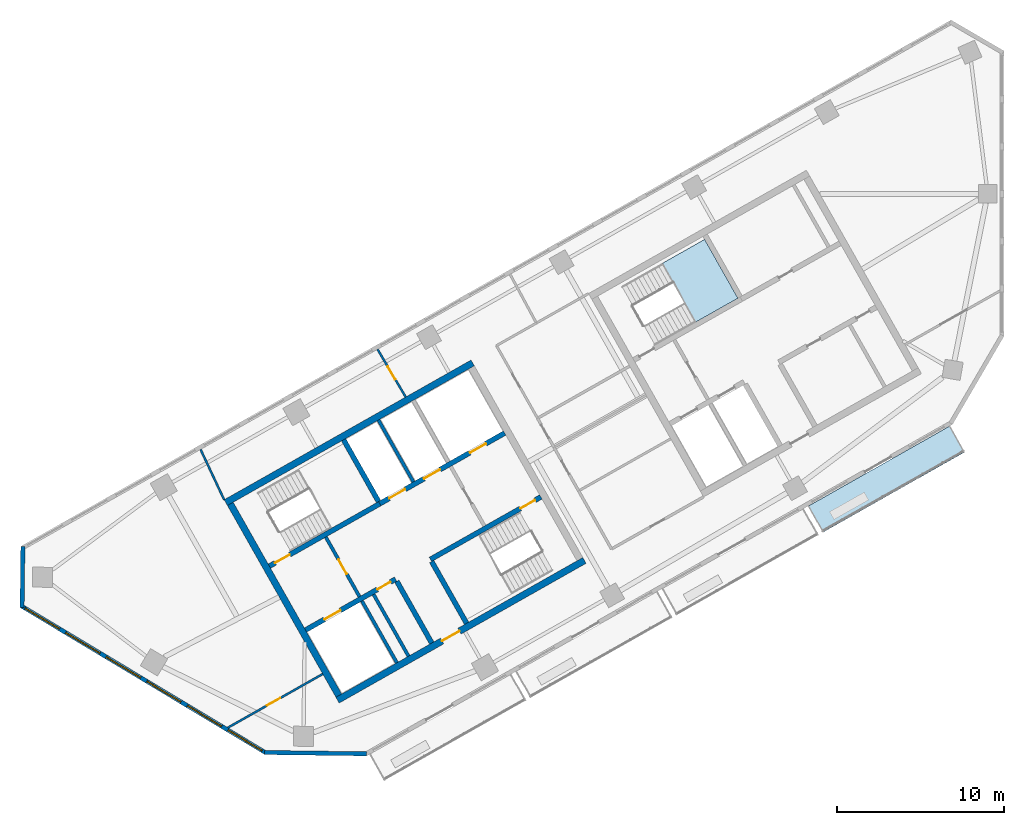
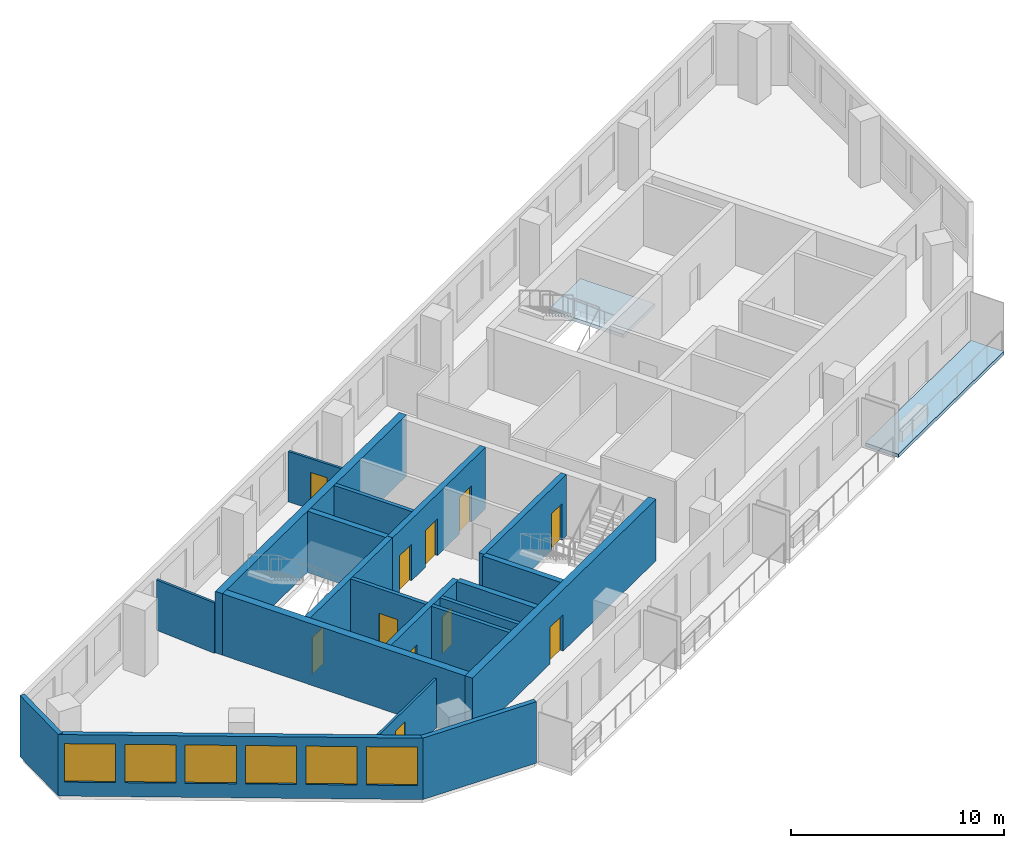
# One storey, part 2 of 7: 20 walls, 11 doors, 6 windows, 2 slabs, 17 openings, 1 element without a shape of its own.
"""IFC4 building model written with IfcOpenShell, lengths in metres."""

from ifc_helpers import new_model, si_unit, direction, frame, frame_2d, origin, place, context, subcontext, project, spatial, polyline, rectangle, outline, extrude, material, layer, layer_set, type_object, element, fill, aggregate, save


model = new_model("IFC4")

# Units and contexts
model_context = context("Model", 3, precision=1e-05, world=origin(), true_north=direction((0.0, 1.0)))
body_context = subcontext(model_context, "Body", "Model", "MODEL_VIEW")
ifc_project = project(units=[si_unit("LENGTHUNIT", "METRE"), si_unit("AREAUNIT", "SQUARE_METRE"), si_unit("VOLUMEUNIT", "CUBIC_METRE"), si_unit("PLANEANGLEUNIT", "RADIAN"), si_unit("MASSUNIT", "GRAM", prefix="KILO")], contexts=[model_context])

# Site, building, storey
site_placement = place(None, origin())
site = spatial("IfcSite", under=ifc_project, at=site_placement, CompositionType="ELEMENT")
building_placement = place(site_placement, origin())
building = spatial("IfcBuilding", under=site, at=building_placement, Name="Binnacle Exchange Tower", CompositionType="ELEMENT")
storey_placement = place(building_placement, frame((0.0, 0.0, 274.10009765625)))
storey = spatial("IfcBuildingStorey", under=building, at=storey_placement, Name="L61", CompositionType="ELEMENT", Elevation=274.10009765625)

# Slab
ifc_material_1 = material(Name="Concrete C35/45", Category="concrete")
ifc_layer_1 = layer(ifc_material_1, 0.199951171875)
ifc_layer_set_1 = layer_set([ifc_layer_1], Name="BALCONY SLAB 200")
slab_type_1 = type_object("IfcSlabType", Name="BALCONY SLAB 200", PredefinedType="FLOOR", material=ifc_layer_set_1)
slab_1_placement = place(storey_placement, frame((0.0, 0.0, -0.2001953125)))
element("IfcSlab", 1, at=slab_1_placement, inside=storey, type_object=slab_type_1, Name="Balcony BA-H07-03 L61", PredefinedType="FLOOR", context=body_context, shape_type="SweptSolid", body=[
    extrude(outline(polyline([(-11.616943359375, 41.28369140625), (-3.115234375, 46.093994140625), (-2.22900390625, 44.527099609375), (-10.730712890625, 39.717041015625), (-11.616943359375, 41.28369140625)])), origin(), (0.0, 0.0, 1.0), 0.2001953125),
])

# Stair, slab
stair_type = type_object("IfcStairType", Name="STAIR 22 RISERS 173", PredefinedType="HALF_TURN_STAIR", material=ifc_material_1)
stair_placement = place(storey_placement, origin())
stair = element("IfcStair", 2, at=stair_placement, inside=storey, type_object=stair_type, Name="L61 Escape stair C1", PredefinedType="HALF_TURN_STAIR")
ifc_layer_2 = layer(ifc_material_1, 0.199951171875)
ifc_layer_set_2 = layer_set([ifc_layer_2], Name="STAIR LANDING 200")
slab_type_2 = type_object("IfcSlabType", Name="STAIR LANDING 200", PredefinedType="LANDING", material=ifc_layer_set_2)
slab_2_placement = place(storey_placement, frame((0.0, 0.0, 1.699951171875)))
slab_2 = element("IfcSlab", 3, at=slab_2_placement, type_object=slab_type_2, Name="STC1 landing 1", PredefinedType="LANDING", context=body_context, shape_type="SweptSolid", body=[
    extrude(outline(polyline([(-18.364013671875, 52.31005859375), (-15.822509765625, 53.748046875), (-17.81689453125, 57.27294921875), (-20.3583984375, 55.8349609375), (-18.364013671875, 52.31005859375)])), origin(), (0.0, 0.0, 1.0), 0.199951171875),
])
aggregate(stair, [slab_2])

# Wall, openings, doors
ifc_material_2 = material(Name="Concrete C70/85", Category="concrete")
ifc_layer_3 = layer(ifc_material_2, 0.300048828125)
ifc_layer_set_3 = layer_set([ifc_layer_3], Name="Core wall - front 300")
wall_type_1 = type_object("IfcWallType", Name="Core wall - front 300", PredefinedType="SOLIDWALL", material=ifc_layer_set_3)
wall_1_placement = place(storey_placement, frame((-41.72998046875, 33.862548828125, 0.0), z_axis=(0.0, 0.0, 1.0), x_axis=(0.870350800578, 0.492432212525, 0.0)))
wall_1 = element("IfcWall", 4, at=wall_1_placement, inside=storey, type_object=wall_type_1, Name="Core wall CRWA2", PredefinedType="SOLIDWALL", context=body_context, shape_type="SweptSolid", body=[
    extrude(rectangle(XDim=6.19970703125, YDim=0.300048828125, at=frame_2d((3.099853515625, 0.0))), origin(), (0.0, 0.0, 1.0), 3.52001953125),
])
opening_1_placement = place(wall_1_placement, frame((1.300048828125, 0.0, 0.0)))
opening_1 = element("IfcOpeningElement", 5, at=opening_1_placement, cuts=wall_1, Name="Opening LD12", PredefinedType="OPENING", context=body_context, shape_type="SweptSolid", body=[
    extrude(rectangle(XDim=1.10009765625, YDim=2.10009765625, at=frame_2d((0.550048828125, 1.050048828125))), frame((0.0, 0.159912109375, 0.0), z_axis=(0.0, -1.0, 0.0), x_axis=(1.0, 0.0, 0.0)), (0.0, 0.0, 1.0), 0.320068359375),
])
opening_2_placement = place(wall_1_placement, frame((4.949951171875, 0.0, 0.0)))
opening_2 = element("IfcOpeningElement", 6, at=opening_2_placement, cuts=wall_1, Name="Opening DA14", PredefinedType="OPENING", context=body_context, shape_type="SweptSolid", body=[
    extrude(rectangle(XDim=0.89990234375, YDim=2.10009765625, at=frame_2d((0.449951171875, 1.050048828125))), frame((0.0, 0.159912109375, 0.0), z_axis=(0.0, -1.0, 0.0), x_axis=(1.0, 0.0, 0.0)), (0.0, 0.0, 1.0), 0.320068359375),
])
ifc_material_3 = material(Name="Steel door leaf", Category="steel")
door_type_1 = type_object("IfcDoorType", Name="Fire door - lift landing 1100", OperationType="NOTDEFINED", PredefinedType="DOOR", material=ifc_material_3)
door_1_placement = place(opening_1_placement, origin())
door_1 = element("IfcDoor", 7, at=door_1_placement, inside=storey, type_object=door_type_1, Name="Landing door LD12 L61", OperationType="DOUBLE_DOOR_SLIDING", OverallHeight=2.10009765625, OverallWidth=1.10009765625, PredefinedType="DOOR", context=body_context, shape_type="SweptSolid", body=[
    extrude(rectangle(XDim=1.10009765625, YDim=2.10009765625, at=frame_2d((0.550048828125, 1.050048828125))), frame((0.0, 0.02490234375, 0.0), z_axis=(0.0, -1.0, 0.0), x_axis=(1.0, 0.0, 0.0)), (0.0, 0.0, 1.0), 0.050048828125),
])
fill(opening_1, door_1)
door_type_2 = type_object("IfcDoorType", Name="Fire door 900", OperationType="NOTDEFINED", PredefinedType="DOOR", material=ifc_material_3)
door_2_placement = place(opening_2_placement, frame((0.89990234375, 0.0, 0.0), z_axis=(0.0, 0.0, 1.0), x_axis=(-1.0, 0.0, 0.0)))
door_2 = element("IfcDoor", 8, at=door_2_placement, inside=storey, type_object=door_type_2, Name="Core room door IT STORE", OperationType="SINGLE_SWING_LEFT", OverallHeight=2.10009765625, OverallWidth=0.89990234375, PredefinedType="DOOR", context=body_context, shape_type="SweptSolid", body=[
    extrude(rectangle(XDim=0.89990234375, YDim=2.10009765625, at=frame_2d((0.449951171875, 1.050048828125))), frame((0.0, 0.02490234375, 0.0), z_axis=(0.0, -1.0, 0.0), x_axis=(1.0, 0.0, 0.0)), (0.0, 0.0, 1.0), 0.050048828125),
])
fill(opening_2, door_2)

wall_2_placement = place(storey_placement, frame((-37.281982421875, 41.4345703125, 0.0), z_axis=(0.0, 0.0, 1.0), x_axis=(0.870361315115, 0.492413628113, 0.0)))
wall_2 = element("IfcWall", 9, at=wall_2_placement, inside=storey, type_object=wall_type_1, Name="Core wall CRWA5", PredefinedType="SOLIDWALL", context=body_context, shape_type="SweptSolid", body=[
    extrude(rectangle(XDim=8.599609375, YDim=0.300048828125, at=frame_2d((4.2998046875, 0.0))), origin(), (0.0, 0.0, 1.0), 3.52001953125),
])
opening_3_placement = place(wall_2_placement, frame((0.650146484375, 0.0, 0.0)))
opening_3 = element("IfcOpeningElement", 10, at=opening_3_placement, cuts=wall_2, Name="Opening LD9", PredefinedType="OPENING", context=body_context, shape_type="SweptSolid", body=[
    extrude(rectangle(XDim=1.10009765625, YDim=2.10009765625, at=frame_2d((0.550048828125, 1.050048828125))), frame((0.0, 0.159912109375, 0.0), z_axis=(0.0, -1.0, 0.0), x_axis=(1.0, 0.0, 0.0)), (0.0, 0.0, 1.0), 0.320068359375),
])
opening_4_placement = place(wall_2_placement, frame((3.050048828125, 0.0, 0.0)))
opening_4 = element("IfcOpeningElement", 11, at=opening_4_placement, cuts=wall_2, Name="Opening LD10", PredefinedType="OPENING", context=body_context, shape_type="SweptSolid", body=[
    extrude(rectangle(XDim=1.10009765625, YDim=2.10009765625, at=frame_2d((0.550048828125, 1.050048828125))), frame((0.0, 0.159912109375, 0.0), z_axis=(0.0, -1.0, 0.0), x_axis=(1.0, 0.0, 0.0)), (0.0, 0.0, 1.0), 0.320068359375),
])
opening_5_placement = place(wall_2_placement, frame((6.199951171875, 0.0, 0.0)))
opening_5 = element("IfcOpeningElement", 12, at=opening_5_placement, cuts=wall_2, Name="Opening LD13", PredefinedType="OPENING", context=body_context, shape_type="SweptSolid", body=[
    extrude(rectangle(XDim=1.10009765625, YDim=2.10009765625, at=frame_2d((0.550048828125, 1.050048828125))), frame((0.0, 0.159912109375, 0.0), z_axis=(0.0, -1.0, 0.0), x_axis=(1.0, 0.0, 0.0)), (0.0, 0.0, 1.0), 0.320068359375),
])
door_3_placement = place(opening_3_placement, origin())
door_3 = element("IfcDoor", 13, at=door_3_placement, inside=storey, type_object=door_type_1, Name="Landing door LD9 L61", OperationType="DOUBLE_DOOR_SLIDING", OverallHeight=2.10009765625, OverallWidth=1.10009765625, PredefinedType="DOOR", context=body_context, shape_type="SweptSolid", body=[
    extrude(rectangle(XDim=1.10009765625, YDim=2.10009765625, at=frame_2d((0.550048828125, 1.050048828125))), frame((0.0, 0.02490234375, 0.0), z_axis=(0.0, -1.0, 0.0), x_axis=(1.0, 0.0, 0.0)), (0.0, 0.0, 1.0), 0.050048828125),
])
fill(opening_3, door_3)
door_4_placement = place(opening_4_placement, origin())
door_4 = element("IfcDoor", 14, at=door_4_placement, inside=storey, type_object=door_type_1, Name="Landing door LD10 L61", OperationType="DOUBLE_DOOR_SLIDING", OverallHeight=2.10009765625, OverallWidth=1.10009765625, PredefinedType="DOOR", context=body_context, shape_type="SweptSolid", body=[
    extrude(rectangle(XDim=1.10009765625, YDim=2.10009765625, at=frame_2d((0.550048828125, 1.050048828125))), frame((0.0, 0.02490234375, 0.0), z_axis=(0.0, -1.0, 0.0), x_axis=(1.0, 0.0, 0.0)), (0.0, 0.0, 1.0), 0.050048828125),
])
fill(opening_4, door_4)
door_5_placement = place(opening_5_placement, origin())
door_5 = element("IfcDoor", 15, at=door_5_placement, inside=storey, type_object=door_type_1, Name="Landing door LD13 L61", OperationType="DOUBLE_DOOR_SLIDING", OverallHeight=2.10009765625, OverallWidth=1.10009765625, PredefinedType="DOOR", context=body_context, shape_type="SweptSolid", body=[
    extrude(rectangle(XDim=1.10009765625, YDim=2.10009765625, at=frame_2d((0.550048828125, 1.050048828125))), frame((0.0, 0.02490234375, 0.0), z_axis=(0.0, -1.0, 0.0), x_axis=(1.0, 0.0, 0.0)), (0.0, 0.0, 1.0), 0.050048828125),
])
fill(opening_5, door_5)

# Wall
wall_3_placement = place(storey_placement, frame((-36.260009765625, 36.784912109375, 0.0), z_axis=(0.0, 0.0, 1.0), x_axis=(0.492422543467, -0.870356271124, 0.0)))
element("IfcWall", 16, at=wall_3_placement, inside=storey, type_object=wall_type_1, Name="Core wall CRWA13", PredefinedType="SOLIDWALL", context=body_context, shape_type="SweptSolid", body=[
    extrude(rectangle(XDim=4.25, YDim=0.300048828125, at=frame_2d((2.125, 0.0))), origin(), (0.0, 0.0, 1.0), 3.52001953125),
])

# Wall, opening, door
ifc_layer_4 = layer(ifc_material_2, 0.39990234375)
ifc_layer_set_4 = layer_set([ifc_layer_4], Name="Core wall - outer 400")
wall_type_2 = type_object("IfcWallType", Name="Core wall - outer 400", PredefinedType="SOLIDWALL", material=ifc_layer_set_4)
wall_4_placement = place(storey_placement, frame((-39.81298828125, 29.661865234375, 0.0), z_axis=(0.0, 0.0, 1.0), x_axis=(0.870350116061, 0.492433422375, 0.0)))
wall_4 = element("IfcWall", 17, at=wall_4_placement, inside=storey, type_object=wall_type_2, Name="Core wall CRWA1", PredefinedType="SOLIDWALL", context=body_context, shape_type="SweptSolid", body=[
    extrude(rectangle(XDim=17.0, YDim=0.39990234375, at=frame_2d((8.5, 0.0))), origin(), (0.0, 0.0, 1.0), 3.52001953125),
])
opening_6_placement = place(wall_4_placement, frame((7.199951171875, 0.0, 0.0)))
opening_6 = element("IfcOpeningElement", 18, at=opening_6_placement, cuts=wall_4, Name="Opening DA7", PredefinedType="OPENING", context=body_context, shape_type="SweptSolid", body=[
    extrude(rectangle(XDim=1.199951171875, YDim=2.10009765625, at=frame_2d((0.60009765625, 1.050048828125))), frame((0.0, 0.2099609375, 0.0), z_axis=(0.0, -1.0, 0.0), x_axis=(1.0, 0.0, 0.0)), (0.0, 0.0, 1.0), 0.419921875),
])
door_type_3 = type_object("IfcDoorType", Name="Fire door 1200", OperationType="NOTDEFINED", PredefinedType="DOOR", material=ifc_material_3)
door_6_placement = place(opening_6_placement, frame((1.199951171875, 0.0, 0.0), z_axis=(0.0, 0.0, 1.0), x_axis=(-1.0, 0.0, 0.0)))
door_6 = element("IfcDoor", 19, at=door_6_placement, inside=storey, type_object=door_type_3, Name="Lift lobby entrance door core A", OperationType="SINGLE_SWING_RIGHT", OverallHeight=2.10009765625, OverallWidth=1.199951171875, PredefinedType="DOOR", context=body_context, shape_type="SweptSolid", body=[
    extrude(rectangle(XDim=1.199951171875, YDim=2.10009765625, at=frame_2d((0.60009765625, 1.050048828125))), frame((0.0, 0.02490234375, 0.0), z_axis=(0.0, -1.0, 0.0), x_axis=(1.0, 0.0, 0.0)), (0.0, 0.0, 1.0), 0.050048828125),
])
fill(opening_6, door_6)

# Walls
wall_5_placement = place(storey_placement, frame((-46.510009765625, 41.498779296875, 0.0), z_axis=(0.0, 0.0, 1.0), x_axis=(0.870356271124, 0.492422543467, 0.0)))
element("IfcWall", 20, at=wall_5_placement, inside=storey, type_object=wall_type_2, Name="Core wall CRWA6", PredefinedType="SOLIDWALL", context=body_context, shape_type="SweptSolid", body=[
    extrude(rectangle(XDim=16.999755859375, YDim=0.39990234375, at=frame_2d((8.5, 0.0))), origin(), (0.0, 0.0, 1.0), 3.52001953125),
])
wall_6_placement = place(storey_placement, frame((-46.237548828125, 41.423095703125, 0.0), z_axis=(0.0, 0.0, 1.0), x_axis=(0.492421663121, -0.870356769198, 0.0)))
element("IfcWall", 21, at=wall_6_placement, inside=storey, type_object=wall_type_2, Name="Core wall CRWA7", PredefinedType="SOLIDWALL", context=body_context, shape_type="SweptSolid", body=[
    extrude(rectangle(XDim=13.199951171875, YDim=0.39990234375, at=frame_2d((6.60009765625, 0.0))), origin(), (0.0, 0.0, 1.0), 3.52001953125),
])

# Wall, opening, door
ifc_layer_5 = layer(ifc_material_2, 0.300048828125)
ifc_layer_set_5 = layer_set([ifc_layer_5], Name="Core wall - stair 300")
wall_type_3 = type_object("IfcWallType", Name="Core wall - stair 300", PredefinedType="SOLIDWALL", material=ifc_layer_set_5)
wall_7_placement = place(storey_placement, frame((-34.2451171875, 38.097412109375, 0.0), z_axis=(0.0, 0.0, 1.0), x_axis=(0.870356351998, 0.492422400523, 0.0)))
wall_7 = element("IfcWall", 22, at=wall_7_placement, inside=storey, type_object=wall_type_3, Name="Core wall CRWA3", PredefinedType="SOLIDWALL", context=body_context, shape_type="SweptSolid", body=[
    extrude(rectangle(XDim=7.60009765625, YDim=0.300048828125, at=frame_2d((3.800048828125, 0.0))), origin(), (0.0, 0.0, 1.0), 3.52001953125),
])
opening_7_placement = place(wall_7_placement, frame((6.199951171875, 0.0, 0.0)))
opening_7 = element("IfcOpeningElement", 23, at=opening_7_placement, cuts=wall_7, Name="Opening DA2", PredefinedType="OPENING", context=body_context, shape_type="SweptSolid", body=[
    extrude(rectangle(XDim=1.0, YDim=2.10009765625, at=frame_2d((0.5, 1.050048828125))), frame((0.0, 0.159912109375, 0.0), z_axis=(0.0, -1.0, 0.0), x_axis=(1.0, 0.0, 0.0)), (0.0, 0.0, 1.0), 0.320068359375),
])
door_type_4 = type_object("IfcDoorType", Name="Fire door 1000", OperationType="NOTDEFINED", PredefinedType="DOOR", material=ifc_material_3)
door_7_placement = place(opening_7_placement, frame((1.0, 0.0, 0.0), z_axis=(0.0, 0.0, 1.0), x_axis=(-1.0, 0.0, 0.0)))
door_7 = element("IfcDoor", 24, at=door_7_placement, inside=storey, type_object=door_type_4, Name="Stair door ST-A2", OperationType="SINGLE_SWING_LEFT", OverallHeight=2.10009765625, OverallWidth=1.0, PredefinedType="DOOR", context=body_context, shape_type="SweptSolid", body=[
    extrude(rectangle(XDim=1.0, YDim=2.10009765625, at=frame_2d((0.5, 1.050048828125))), frame((0.0, 0.02490234375, 0.0), z_axis=(0.0, -1.0, 0.0), x_axis=(1.0, 0.0, 0.0)), (0.0, 0.0, 1.0), 0.050048828125),
])
fill(opening_7, door_7)

wall_8_placement = place(storey_placement, frame((-43.896728515625, 37.692138671875, 0.0), z_axis=(0.0, 0.0, 1.0), x_axis=(0.870356351998, 0.492422400523, 0.0)))
wall_8 = element("IfcWall", 25, at=wall_8_placement, inside=storey, type_object=wall_type_3, Name="Core wall CRWA4", PredefinedType="SOLIDWALL", context=body_context, shape_type="SweptSolid", body=[
    extrude(rectangle(XDim=7.60009765625, YDim=0.300048828125, at=frame_2d((3.800048828125, 0.0))), origin(), (0.0, 0.0, 1.0), 3.52001953125),
])
opening_8_placement = place(wall_8_placement, frame((0.39990234375, 0.0, 0.0)))
opening_8 = element("IfcOpeningElement", 26, at=opening_8_placement, cuts=wall_8, Name="Opening DA1", PredefinedType="OPENING", context=body_context, shape_type="SweptSolid", body=[
    extrude(rectangle(XDim=1.0, YDim=2.10009765625, at=frame_2d((0.5, 1.050048828125))), frame((0.0, 0.159912109375, 0.0), z_axis=(0.0, -1.0, 0.0), x_axis=(1.0, 0.0, 0.0)), (0.0, 0.0, 1.0), 0.320068359375),
])
door_8_placement = place(opening_8_placement, origin())
door_8 = element("IfcDoor", 27, at=door_8_placement, inside=storey, type_object=door_type_4, Name="Stair door ST-A1", OperationType="SINGLE_SWING_LEFT", OverallHeight=2.10009765625, OverallWidth=1.0, PredefinedType="DOOR", context=body_context, shape_type="SweptSolid", body=[
    extrude(rectangle(XDim=1.0, YDim=2.10009765625, at=frame_2d((0.5, 1.050048828125))), frame((0.0, 0.02490234375, 0.0), z_axis=(0.0, -1.0, 0.0), x_axis=(1.0, 0.0, 0.0)), (0.0, 0.0, 1.0), 0.050048828125),
])
fill(opening_8, door_8)

# Walls
for number, where, z_axis, x_axis, name in (
    (28, (-39.44873046875, 45.263916015625, 0.0), (0.0, 0.0, 1.0), (0.492422543467, -0.870356271124, 0.0), "Core wall CRWA14"),
    (29, (-34.171142578125, 37.966796875, 0.0), (0.0, 0.0, 1.0), (0.492422543467, -0.870356271124, 0.0), "Core wall CRWA16"),
):
    element("IfcWall", number, at=place(storey_placement, frame(where, z_axis=z_axis, x_axis=x_axis)), inside=storey, type_object=wall_type_3, Name=name, PredefinedType="SOLIDWALL", context=body_context, shape_type="SweptSolid", body=[
        extrude(rectangle(XDim=4.25, YDim=0.300048828125, at=frame_2d((2.125, 0.0))), origin(), (0.0, 0.0, 1.0), 3.52001953125),
    ])
ifc_material_4 = material(Name="Bronze aluminium cladding", Category="aluminium")
ifc_layer_6 = layer(ifc_material_4, 0.25)
ifc_layer_set_6 = layer_set([ifc_layer_6], Name="External wall - window wall 250")
wall_type_4 = type_object("IfcWallType", Name="External wall - window wall 250", PredefinedType="STANDARD", material=ifc_layer_set_6)
wall_9_placement = place(storey_placement, frame((-58.717041015625, 35.208251953125, 0.0), z_axis=(0.0, 0.0, 1.0), x_axis=(0.01310512158, 0.999914124207, 0.0)))
element("IfcWall", 30, at=wall_9_placement, inside=storey, type_object=wall_type_4, Name="External wall EW-H04 L61", PredefinedType="STANDARD", context=body_context, shape_type="SweptSolid", body=[
    extrude(rectangle(XDim=3.669921875, YDim=0.25, at=frame_2d((1.8349609375, 0.0))), origin(), (0.0, 0.0, 1.0), 3.52001953125),
])

# Wall, openings, windows
wall_10_placement = place(storey_placement, frame((-44.115234375, 26.507080078125, 0.0), z_axis=(0.0, 0.0, 1.0), x_axis=(-0.857166583633, 0.515039268311, 0.0)))
wall_10 = element("IfcWall", 31, at=wall_10_placement, inside=storey, type_object=wall_type_4, Name="External wall EW-H05 L61", PredefinedType="STANDARD", context=body_context, shape_type="SweptSolid", body=[
    extrude(rectangle(XDim=17.105712890625, YDim=0.25, at=frame_2d((8.552734375, 0.0))), origin(), (0.0, 0.0, 1.0), 3.52001953125),
])
opening_9_placement = place(wall_10_placement, frame((14.4169921875, 0.0, 0.800048828125)))
opening_9 = element("IfcOpeningElement", 32, at=opening_9_placement, cuts=wall_10, Name="Opening WR2", PredefinedType="OPENING", context=body_context, shape_type="SweptSolid", body=[
    extrude(rectangle(XDim=2.39990234375, YDim=2.199951171875, at=frame_2d((1.199951171875, 1.10009765625))), frame((0.0, 0.135009765625, 0.0), z_axis=(0.0, -1.0, 0.0), x_axis=(1.0, 0.0, 0.0)), (0.0, 0.0, 1.0), 0.27001953125),
])
opening_10_placement = place(wall_10_placement, frame((11.583740234375, 0.0, 0.800048828125)))
opening_10 = element("IfcOpeningElement", 33, at=opening_10_placement, cuts=wall_10, Name="Opening WR2", PredefinedType="OPENING", context=body_context, shape_type="SweptSolid", body=[
    extrude(rectangle(XDim=2.39990234375, YDim=2.199951171875, at=frame_2d((1.199951171875, 1.10009765625))), frame((0.0, 0.135009765625, 0.0), z_axis=(0.0, -1.0, 0.0), x_axis=(1.0, 0.0, 0.0)), (0.0, 0.0, 1.0), 0.27001953125),
])
opening_11_placement = place(wall_10_placement, frame((8.75048828125, 0.0, 0.800048828125)))
opening_11 = element("IfcOpeningElement", 34, at=opening_11_placement, cuts=wall_10, Name="Opening WR2", PredefinedType="OPENING", context=body_context, shape_type="SweptSolid", body=[
    extrude(rectangle(XDim=2.39990234375, YDim=2.199951171875, at=frame_2d((1.199951171875, 1.10009765625))), frame((0.0, 0.135009765625, 0.0), z_axis=(0.0, -1.0, 0.0), x_axis=(1.0, 0.0, 0.0)), (0.0, 0.0, 1.0), 0.27001953125),
])
opening_12_placement = place(wall_10_placement, frame((5.9169921875, 0.0, 0.800048828125)))
opening_12 = element("IfcOpeningElement", 35, at=opening_12_placement, cuts=wall_10, Name="Opening WR2", PredefinedType="OPENING", context=body_context, shape_type="SweptSolid", body=[
    extrude(rectangle(XDim=2.39990234375, YDim=2.199951171875, at=frame_2d((1.199951171875, 1.10009765625))), frame((0.0, 0.135009765625, 0.0), z_axis=(0.0, -1.0, 0.0), x_axis=(1.0, 0.0, 0.0)), (0.0, 0.0, 1.0), 0.27001953125),
])
opening_13_placement = place(wall_10_placement, frame((3.083740234375, 0.0, 0.800048828125)))
opening_13 = element("IfcOpeningElement", 36, at=opening_13_placement, cuts=wall_10, Name="Opening WR2", PredefinedType="OPENING", context=body_context, shape_type="SweptSolid", body=[
    extrude(rectangle(XDim=2.39990234375, YDim=2.199951171875, at=frame_2d((1.199951171875, 1.10009765625))), frame((0.0, 0.135009765625, 0.0), z_axis=(0.0, -1.0, 0.0), x_axis=(1.0, 0.0, 0.0)), (0.0, 0.0, 1.0), 0.27001953125),
])
opening_14_placement = place(wall_10_placement, frame((0.25048828125, 0.0, 0.800048828125)))
opening_14 = element("IfcOpeningElement", 37, at=opening_14_placement, cuts=wall_10, Name="Opening WR2", PredefinedType="OPENING", context=body_context, shape_type="SweptSolid", body=[
    extrude(rectangle(XDim=2.39990234375, YDim=2.199951171875, at=frame_2d((1.199951171875, 1.10009765625))), frame((0.0, 0.135009765625, 0.0), z_axis=(0.0, -1.0, 0.0), x_axis=(1.0, 0.0, 0.0)), (0.0, 0.0, 1.0), 0.27001953125),
])
ifc_material_5 = material(Name="Bronze anodised aluminium frame", Category="aluminium")
window_type = type_object("IfcWindowType", Name="WR2 WINDOW 2400x2200", PartitioningType="SINGLE_PANEL", PredefinedType="WINDOW", material=ifc_material_5)
window_1_placement = place(opening_9_placement, origin())
window_1 = element("IfcWindow", 38, at=window_1_placement, inside=storey, type_object=window_type, Name="Window WR2 L61", OverallHeight=2.199951171875, OverallWidth=2.39990234375, PartitioningType="SINGLE_PANEL", PredefinedType="WINDOW", context=body_context, shape_type="SweptSolid", body=[
    extrude(rectangle(XDim=2.39990234375, YDim=2.199951171875, at=frame_2d((1.199951171875, 1.10009765625))), frame((0.0, 0.030029296875, 0.0), z_axis=(0.0, -1.0, 0.0), x_axis=(1.0, 0.0, 0.0)), (0.0, 0.0, 1.0), 0.06005859375),
])
fill(opening_9, window_1)
window_2_placement = place(opening_10_placement, origin())
window_2 = element("IfcWindow", 39, at=window_2_placement, inside=storey, type_object=window_type, Name="Window WR2 L61", OverallHeight=2.199951171875, OverallWidth=2.39990234375, PartitioningType="SINGLE_PANEL", PredefinedType="WINDOW", context=body_context, shape_type="SweptSolid", body=[
    extrude(rectangle(XDim=2.39990234375, YDim=2.199951171875, at=frame_2d((1.199951171875, 1.10009765625))), frame((0.0, 0.030029296875, 0.0), z_axis=(0.0, -1.0, 0.0), x_axis=(1.0, 0.0, 0.0)), (0.0, 0.0, 1.0), 0.06005859375),
])
fill(opening_10, window_2)
window_3_placement = place(opening_11_placement, origin())
window_3 = element("IfcWindow", 40, at=window_3_placement, inside=storey, type_object=window_type, Name="Window WR2 L61", OverallHeight=2.199951171875, OverallWidth=2.39990234375, PartitioningType="SINGLE_PANEL", PredefinedType="WINDOW", context=body_context, shape_type="SweptSolid", body=[
    extrude(rectangle(XDim=2.39990234375, YDim=2.199951171875, at=frame_2d((1.199951171875, 1.10009765625))), frame((0.0, 0.030029296875, 0.0), z_axis=(0.0, -1.0, 0.0), x_axis=(1.0, 0.0, 0.0)), (0.0, 0.0, 1.0), 0.06005859375),
])
fill(opening_11, window_3)
window_4_placement = place(opening_12_placement, origin())
window_4 = element("IfcWindow", 41, at=window_4_placement, inside=storey, type_object=window_type, Name="Window WR2 L61", OverallHeight=2.199951171875, OverallWidth=2.39990234375, PartitioningType="SINGLE_PANEL", PredefinedType="WINDOW", context=body_context, shape_type="SweptSolid", body=[
    extrude(rectangle(XDim=2.39990234375, YDim=2.199951171875, at=frame_2d((1.199951171875, 1.10009765625))), frame((0.0, 0.030029296875, 0.0), z_axis=(0.0, -1.0, 0.0), x_axis=(1.0, 0.0, 0.0)), (0.0, 0.0, 1.0), 0.06005859375),
])
fill(opening_12, window_4)
window_5_placement = place(opening_13_placement, origin())
window_5 = element("IfcWindow", 42, at=window_5_placement, inside=storey, type_object=window_type, Name="Window WR2 L61", OverallHeight=2.199951171875, OverallWidth=2.39990234375, PartitioningType="SINGLE_PANEL", PredefinedType="WINDOW", context=body_context, shape_type="SweptSolid", body=[
    extrude(rectangle(XDim=2.39990234375, YDim=2.199951171875, at=frame_2d((1.199951171875, 1.10009765625))), frame((0.0, 0.030029296875, 0.0), z_axis=(0.0, -1.0, 0.0), x_axis=(1.0, 0.0, 0.0)), (0.0, 0.0, 1.0), 0.06005859375),
])
fill(opening_13, window_5)
window_6_placement = place(opening_14_placement, origin())
window_6 = element("IfcWindow", 43, at=window_6_placement, inside=storey, type_object=window_type, Name="Window WR2 L61", OverallHeight=2.199951171875, OverallWidth=2.39990234375, PartitioningType="SINGLE_PANEL", PredefinedType="WINDOW", context=body_context, shape_type="SweptSolid", body=[
    extrude(rectangle(XDim=2.39990234375, YDim=2.199951171875, at=frame_2d((1.199951171875, 1.10009765625))), frame((0.0, 0.030029296875, 0.0), z_axis=(0.0, -1.0, 0.0), x_axis=(1.0, 0.0, 0.0)), (0.0, 0.0, 1.0), 0.06005859375),
])
fill(opening_14, window_6)

# Wall
wall_11_placement = place(storey_placement, frame((-38.06396484375, 26.44482421875, 0.0), z_axis=(0.0, 0.0, 1.0), x_axis=(-0.999914239143, 0.013096349097, 0.0)))
element("IfcWall", 44, at=wall_11_placement, inside=storey, type_object=wall_type_4, Name="External wall EW-H06 L61", PredefinedType="STANDARD", context=body_context, shape_type="SweptSolid", body=[
    extrude(rectangle(XDim=6.114501953125, YDim=0.25, at=frame_2d((3.05712890625, 0.0))), origin(), (0.0, 0.0, 1.0), 3.52001953125),
])

# Wall, opening, door
ifc_material_6 = material(Name="Masonry block wall", Category="masonry")
ifc_layer_7 = layer(ifc_material_6, 0.199951171875)
ifc_layer_set_7 = layer_set([ifc_layer_7], Name="Fire wall - vestibule 200")
wall_type_5 = type_object("IfcWallType", Name="Fire wall - vestibule 200", PredefinedType="PARTITIONING", material=ifc_layer_set_7)
wall_12_placement = place(storey_placement, frame((-40.515625, 39.4326171875, 0.0), z_axis=(0.0, 0.0, 1.0), x_axis=(0.492453559952, -0.87033872216, 0.0)))
wall_12 = element("IfcWall", 45, at=wall_12_placement, inside=storey, type_object=wall_type_5, Name="Core wall CRWA10", PredefinedType="PARTITIONING", context=body_context, shape_type="SweptSolid", body=[
    extrude(rectangle(XDim=4.099853515625, YDim=0.199951171875, at=frame_2d((2.0498046875, 0.0))), origin(), (0.0, 0.0, 1.0), 3.52001953125),
])
opening_15_placement = place(wall_12_placement, frame((1.550048828125, 0.0, 0.0)))
opening_15 = element("IfcOpeningElement", 46, at=opening_15_placement, cuts=wall_12, Name="Opening DA3", PredefinedType="OPENING", context=body_context, shape_type="SweptSolid", body=[
    extrude(rectangle(XDim=1.0, YDim=2.10009765625, at=frame_2d((0.5, 1.050048828125))), frame((0.0, 0.10986328125, 0.0), z_axis=(0.0, -1.0, 0.0), x_axis=(1.0, 0.0, 0.0)), (0.0, 0.0, 1.0), 0.219970703125),
])
door_9_placement = place(opening_15_placement, frame((1.0, 0.0, 0.0), z_axis=(0.0, 0.0, 1.0), x_axis=(-1.0, 0.0, 0.0)))
door_9 = element("IfcDoor", 47, at=door_9_placement, inside=storey, type_object=door_type_4, Name="Vestibule door VEST-W", OperationType="SINGLE_SWING_LEFT", OverallHeight=2.10009765625, OverallWidth=1.0, PredefinedType="DOOR", context=body_context, shape_type="SweptSolid", body=[
    extrude(rectangle(XDim=1.0, YDim=2.10009765625, at=frame_2d((0.5, 1.050048828125))), frame((0.0, 0.02490234375, 0.0), z_axis=(0.0, -1.0, 0.0), x_axis=(1.0, 0.0, 0.0)), (0.0, 0.0, 1.0), 0.050048828125),
])
fill(opening_15, door_9)

# Wall
ifc_material_7 = material(Name="Gypsum partition")
ifc_layer_8 = layer(ifc_material_7, 0.125)
ifc_layer_set_8 = layer_set([ifc_layer_8], Name="Partition 125")
wall_type_6 = type_object("IfcWallType", Name="Partition 125", PredefinedType="PARTITIONING", material=ifc_layer_set_8)
wall_13_placement = place(storey_placement, frame((-48.02197265625, 44.68701171875, 0.0), z_axis=(0.0, 0.0, 1.0), x_axis=(0.424510917438, -0.905422818895, 0.0)))
element("IfcWall", 48, at=wall_13_placement, inside=storey, type_object=wall_type_6, Name="Partition W01", PredefinedType="PARTITIONING", context=body_context, shape_type="SweptSolid", body=[
    extrude(rectangle(XDim=3.328857421875, YDim=0.125, at=frame_2d((1.66455078125, 0.0))), origin(), (0.0, 0.0, 1.0), 2.887939453125),
])

# Wall, opening, door
wall_14_placement = place(storey_placement, frame((-46.381103515625, 28.014892578125, 0.0), z_axis=(0.0, 0.0, 1.0), x_axis=(0.870364232693, 0.492408471139, 0.0)))
wall_14 = element("IfcWall", 49, at=wall_14_placement, inside=storey, type_object=wall_type_6, Name="Partition W02", PredefinedType="PARTITIONING", context=body_context, shape_type="SweptSolid", body=[
    extrude(rectangle(XDim=6.52734375, YDim=0.125, at=frame_2d((3.263671875, 0.0))), origin(), (0.0, 0.0, 1.0), 2.7998046875),
])
opening_16_placement = place(wall_14_placement, frame((2.699951171875, 0.0, 0.0)))
opening_16 = element("IfcOpeningElement", 50, at=opening_16_placement, cuts=wall_14, Name="Opening DL61-01", PredefinedType="OPENING", context=body_context, shape_type="SweptSolid", body=[
    extrude(rectangle(XDim=0.89990234375, YDim=2.10009765625, at=frame_2d((0.449951171875, 1.050048828125))), frame((0.0, 0.072509765625, 0.0), z_axis=(0.0, -1.0, 0.0), x_axis=(1.0, 0.0, 0.0)), (0.0, 0.0, 1.0), 0.14501953125),
])
ifc_material_8 = material(Name="Timber door leaf", Category="wood")
door_type_5 = type_object("IfcDoorType", Name="Door 900", OperationType="NOTDEFINED", PredefinedType="DOOR", material=ifc_material_8)
door_10_placement = place(opening_16_placement, origin())
door_10 = element("IfcDoor", 51, at=door_10_placement, inside=storey, type_object=door_type_5, Name="Door DL61-01", OperationType="SINGLE_SWING_LEFT", OverallHeight=2.10009765625, OverallWidth=0.89990234375, PredefinedType="DOOR", context=body_context, shape_type="SweptSolid", body=[
    extrude(rectangle(XDim=0.89990234375, YDim=2.10009765625, at=frame_2d((0.449951171875, 1.050048828125))), frame((0.0, 0.02490234375, 0.0), z_axis=(0.0, -1.0, 0.0), x_axis=(1.0, 0.0, 0.0)), (0.0, 0.0, 1.0), 0.050048828125),
])
fill(opening_16, door_10)

wall_15_placement = place(storey_placement, frame((-37.416015625, 50.68701171875, 0.0), z_axis=(0.0, 0.0, 1.0), x_axis=(0.508176683483, -0.861252842297, 0.0)))
wall_15 = element("IfcWall", 52, at=wall_15_placement, inside=storey, type_object=wall_type_6, Name="Partition W03", PredefinedType="PARTITIONING", context=body_context, shape_type="SweptSolid", body=[
    extrude(rectangle(XDim=3.31982421875, YDim=0.125, at=frame_2d((1.659912109375, 0.0))), origin(), (0.0, 0.0, 1.0), 2.887939453125),
])
opening_17_placement = place(wall_15_placement, frame((1.199951171875, 0.0, 0.0)))
opening_17 = element("IfcOpeningElement", 53, at=opening_17_placement, cuts=wall_15, Name="Opening DL61-02", PredefinedType="OPENING", context=body_context, shape_type="SweptSolid", body=[
    extrude(rectangle(XDim=0.89990234375, YDim=2.10009765625, at=frame_2d((0.449951171875, 1.050048828125))), frame((0.0, 0.072509765625, 0.0), z_axis=(0.0, -1.0, 0.0), x_axis=(1.0, 0.0, 0.0)), (0.0, 0.0, 1.0), 0.14501953125),
])
door_11_placement = place(opening_17_placement, frame((0.89990234375, 0.0, 0.0), z_axis=(0.0, 0.0, 1.0), x_axis=(-1.0, 0.0, 0.0)))
door_11 = element("IfcDoor", 54, at=door_11_placement, inside=storey, type_object=door_type_5, Name="Door DL61-02", OperationType="SINGLE_SWING_RIGHT", OverallHeight=2.10009765625, OverallWidth=0.89990234375, PredefinedType="DOOR", context=body_context, shape_type="SweptSolid", body=[
    extrude(rectangle(XDim=0.89990234375, YDim=2.10009765625, at=frame_2d((0.449951171875, 1.050048828125))), frame((0.0, 0.02490234375, 0.0), z_axis=(0.0, -1.0, 0.0), x_axis=(1.0, 0.0, 0.0)), (0.0, 0.0, 1.0), 0.050048828125),
])
fill(opening_17, door_11)

# Walls
ifc_layer_9 = layer(ifc_material_6, 0.199951171875)
ifc_layer_set_9 = layer_set([ifc_layer_9], Name="Riser wall 200")
wall_type_7 = type_object("IfcWallType", Name="Riser wall 200", PredefinedType="SOLIDWALL", material=ifc_layer_set_9)
wall_16_placement = place(storey_placement, frame((-38.348876953125, 35.603271484375, 0.0), z_axis=(0.0, 0.0, 1.0), x_axis=(0.492397924348, -0.870370199454, 0.0)))
element("IfcWall", 55, at=wall_16_placement, inside=storey, type_object=wall_type_7, Name="Core wall CRWA8", PredefinedType="SOLIDWALL", context=body_context, shape_type="SweptSolid", body=[
    extrude(rectangle(XDim=4.250244140625, YDim=0.199951171875, at=frame_2d((2.125, 0.0))), origin(), (0.0, 0.0, 1.0), 3.52001953125),
])
wall_17_placement = place(storey_placement, frame((-37.652587890625, 35.9970703125, 0.0), z_axis=(0.0, 0.0, 1.0), x_axis=(0.492422543467, -0.870356271124, 0.0)))
element("IfcWall", 56, at=wall_17_placement, inside=storey, type_object=wall_type_7, Name="Core wall CRWA11", PredefinedType="SOLIDWALL", context=body_context, shape_type="SweptSolid", body=[
    extrude(rectangle(XDim=4.25, YDim=0.199951171875, at=frame_2d((2.125, 0.0))), origin(), (0.0, 0.0, 1.0), 3.52001953125),
])
ifc_layer_10 = layer(ifc_material_6, 0.199951171875)
ifc_layer_set_10 = layer_set([ifc_layer_10], Name="Shaft wall 200")
wall_type_8 = type_object("IfcWallType", Name="Shaft wall 200", PredefinedType="SOLIDWALL", material=ifc_layer_set_10)
wall_18_placement = place(storey_placement, frame((-37.35986328125, 46.44580078125, 0.0), z_axis=(0.0, 0.0, 1.0), x_axis=(0.492422543467, -0.870356271124, 0.0)))
element("IfcWall", 57, at=wall_18_placement, inside=storey, type_object=wall_type_8, Name="Core wall CRWA17", PredefinedType="SOLIDWALL", context=body_context, shape_type="SweptSolid", body=[
    extrude(rectangle(XDim=4.25, YDim=0.199951171875, at=frame_2d((2.125, 0.0))), origin(), (0.0, 0.0, 1.0), 3.52001953125),
])

save(model, "model.ifc")
